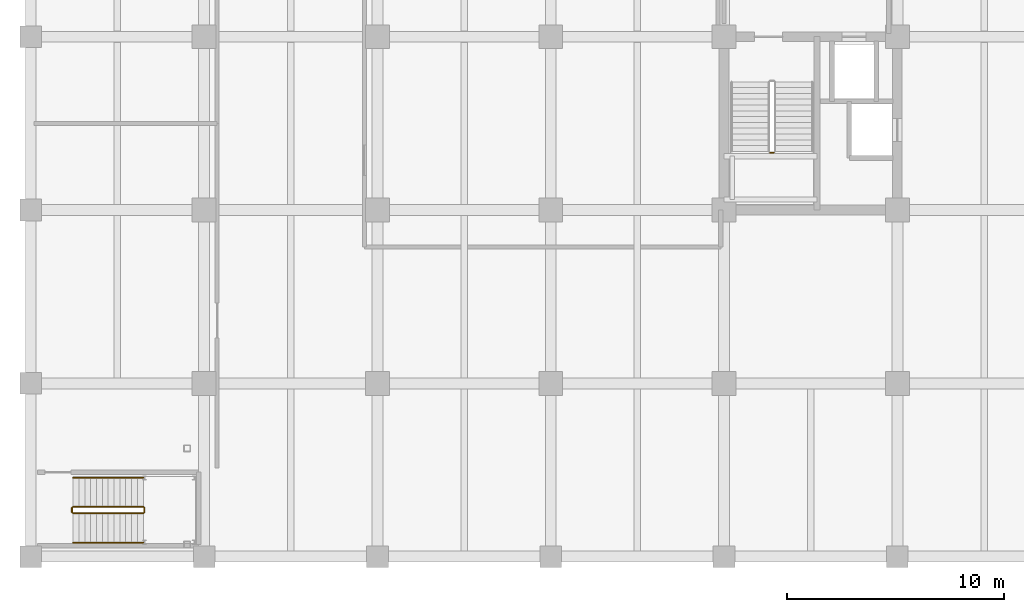
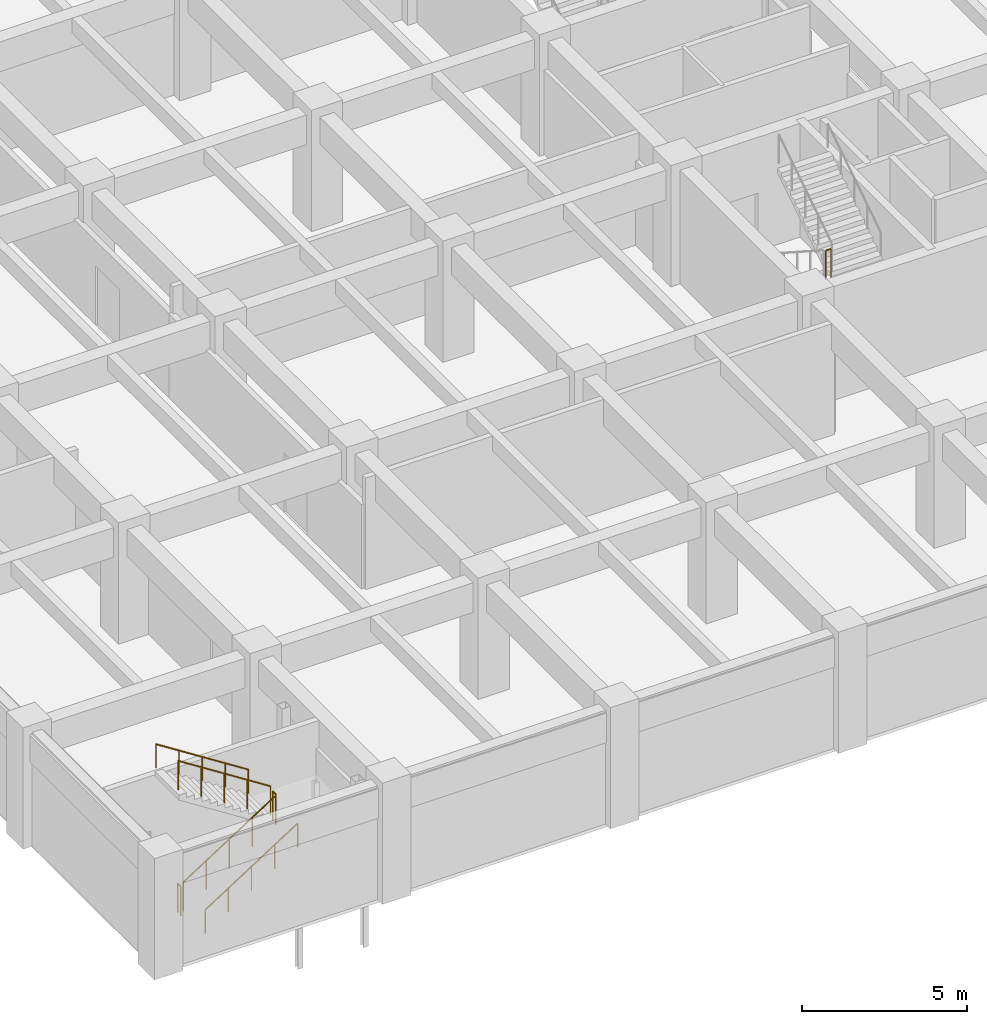
# One storey, part 12 of 16: 7 railings.
"""IFC4 building model written with IfcOpenShell, lengths in metres."""

from ifc_helpers import new_model, si_unit, direction, frame, origin, origin_2d, place, context, subcontext, project, spatial, circle, extrude, material, type_object, element, save


model = new_model("IFC4")

# Units and contexts
model_context = context("Model", 3, precision=1e-05, world=origin(), true_north=direction((0.0, 1.0)))
body_context = subcontext(model_context, "Body", "Model", "MODEL_VIEW")
ifc_project = project(units=[si_unit("LENGTHUNIT", "METRE"), si_unit("AREAUNIT", "SQUARE_METRE"), si_unit("VOLUMEUNIT", "CUBIC_METRE"), si_unit("PLANEANGLEUNIT", "RADIAN"), si_unit("MASSUNIT", "GRAM", prefix="KILO")], contexts=[model_context])

# Site, building, storey
site_placement = place(None, origin())
site = spatial("IfcSite", under=ifc_project, at=site_placement, CompositionType="ELEMENT")
building_placement = place(site_placement, origin())
building = spatial("IfcBuilding", under=site, at=building_placement, Name="Canggui Botanical Conservatory", CompositionType="ELEMENT")
storey_placement = place(building_placement, frame((0.0, 0.0, -4.5)))
storey = spatial("IfcBuildingStorey", under=building, at=storey_placement, Name="B1", CompositionType="ELEMENT", Elevation=-4.5)

# Railings
ifc_material = material(Name="Stainless Steel 304", Category="steel")
railing_type_1 = type_object("IfcRailingType", Name="RAIL-GUARD-1100", PredefinedType="BALUSTRADE", material=ifc_material)
railing_1_placement = place(storey_placement, frame((156.1201171875, 44.654052734375, 2.25)))
element("IfcRailing", 1, at=railing_1_placement, inside=storey, type_object=railing_type_1, Name="B1 ST-T1 stair guard 2", PredefinedType="BALUSTRADE", context=body_context, shape_type="SweptSolid", body=[
    extrude(circle(Radius=0.02392578125, at=origin_2d()), frame((0.0, 0.0, 1.076171875), z_axis=(1.0, 0.0, 0.0), x_axis=(0.0, 1.0, 0.0)), (0.0, 0.0, 1.0), 0.179931640625),
    extrude(circle(Radius=0.02099609375, at=origin_2d()), origin(), (0.0, 0.0, 1.0), 1.052001953125),
    extrude(circle(Radius=0.02099609375, at=origin_2d()), frame((0.179931640625, 0.0, 0.0)), (0.0, 0.0, 1.0), 1.052001953125),
])
railing_2_placement = place(storey_placement, frame((123.949951171875, 28.0, 0.173095703125)))
element("IfcRailing", 2, at=railing_2_placement, inside=storey, type_object=railing_type_1, Name="B1 ST-G1 stair guard 1", PredefinedType="BALUSTRADE", context=body_context, shape_type="SweptSolid", body=[
    extrude(circle(Radius=0.02392578125, at=origin_2d()), frame((0.0, 0.0, 1.076171875), z_axis=(0.841880617004, 0.0, 0.539663808971), x_axis=(0.0, 1.0, 0.0)), (0.0, 0.0, 1.0), 3.8486328125),
    extrude(circle(Radius=0.02099609375, at=origin_2d()), origin(), (0.0, 0.0, 1.0), 1.052001953125),
    extrude(circle(Radius=0.02099609375, at=origin_2d()), frame((0.81005859375, 0.0, 0.519287109375)), (0.0, 0.0, 1.0), 1.052001953125),
    extrude(circle(Radius=0.02099609375, at=origin_2d()), frame((1.6201171875, 0.0, 1.03857421875)), (0.0, 0.0, 1.0), 1.052001953125),
    extrude(circle(Radius=0.02099609375, at=origin_2d()), frame((2.429931640625, 0.0, 1.5576171875)), (0.0, 0.0, 1.0), 1.052001953125),
    extrude(circle(Radius=0.02099609375, at=origin_2d()), frame((3.239990234375, 0.0, 2.076904296875)), (0.0, 0.0, 1.0), 1.052001953125),
])
railing_3_placement = place(storey_placement, frame((127.239990234375, 28.050048828125, 2.25)))
element("IfcRailing", 3, at=railing_3_placement, inside=storey, type_object=railing_type_1, Name="B1 ST-G1 stair guard 2", PredefinedType="BALUSTRADE", context=body_context, shape_type="SweptSolid", body=[
    extrude(circle(Radius=0.02392578125, at=origin_2d()), frame((0.0, 0.0, 1.076171875), z_axis=(0.0, 1.0, 0.0), x_axis=(-1.0, 0.0, 0.0)), (0.0, 0.0, 1.0), 0.199951171875),
    extrude(circle(Radius=0.02099609375, at=origin_2d()), origin(), (0.0, 0.0, 1.0), 1.052001953125),
    extrude(circle(Radius=0.02099609375, at=origin_2d()), frame((0.0, 0.199951171875, 0.0)), (0.0, 0.0, 1.0), 1.052001953125),
])
railing_4_placement = place(storey_placement, frame((127.18994140625, 28.300048828125, 2.423095703125)))
element("IfcRailing", 4, at=railing_4_placement, inside=storey, type_object=railing_type_1, Name="B1 ST-G1 stair guard 3", PredefinedType="BALUSTRADE", context=body_context, shape_type="SweptSolid", body=[
    extrude(circle(Radius=0.02392578125, at=origin_2d()), frame((0.0, 0.0, 1.076171875), z_axis=(-0.841880617004, 0.0, 0.539663808971), x_axis=(0.0, -1.0, 0.0)), (0.0, 0.0, 1.0), 3.8486328125),
    extrude(circle(Radius=0.02099609375, at=origin_2d()), origin(), (0.0, 0.0, 1.0), 1.052001953125),
    extrude(circle(Radius=0.02099609375, at=origin_2d()), frame((-0.81005859375, 0.0, 0.519287109375)), (0.0, 0.0, 1.0), 1.052001953125),
    extrude(circle(Radius=0.02099609375, at=origin_2d()), frame((-1.6201171875, 0.0, 1.03857421875)), (0.0, 0.0, 1.0), 1.052001953125),
    extrude(circle(Radius=0.02099609375, at=origin_2d()), frame((-2.429931640625, 0.0, 1.5576171875)), (0.0, 0.0, 1.0), 1.052001953125),
    extrude(circle(Radius=0.02099609375, at=origin_2d()), frame((-3.239990234375, 0.0, 2.076904296875)), (0.0, 0.0, 1.0), 1.052001953125),
])
railing_5_placement = place(storey_placement, frame((123.89990234375, 28.050048828125, 0.0)))
element("IfcRailing", 5, at=railing_5_placement, inside=storey, type_object=railing_type_1, Name="B1 ST-G1 stair guard 4", PredefinedType="BALUSTRADE", context=body_context, shape_type="SweptSolid", body=[
    extrude(circle(Radius=0.02392578125, at=origin_2d()), frame((0.0, 0.0, 1.076171875), z_axis=(0.0, 1.0, 0.0), x_axis=(-1.0, 0.0, 0.0)), (0.0, 0.0, 1.0), 0.199951171875),
    extrude(circle(Radius=0.02099609375, at=origin_2d()), origin(), (0.0, 0.0, 1.0), 1.052001953125),
    extrude(circle(Radius=0.02099609375, at=origin_2d()), frame((0.0, 0.199951171875, 0.0)), (0.0, 0.0, 1.0), 1.052001953125),
])
railing_type_2 = type_object("IfcRailingType", Name="RAIL-HAND-900", PredefinedType="HANDRAIL", material=ifc_material)
railing_6_placement = place(storey_placement, frame((123.949951171875, 26.64990234375, 0.173095703125)))
element("IfcRailing", 6, at=railing_6_placement, inside=storey, type_object=railing_type_2, Name="B1 ST-G1 stair handrail 1", PredefinedType="HANDRAIL", context=body_context, shape_type="SweptSolid", body=[
    extrude(circle(Radius=0.02392578125, at=origin_2d()), frame((0.0, 0.0, 0.8759765625), z_axis=(0.841880617004, 0.0, 0.539663808971), x_axis=(0.0, 1.0, 0.0)), (0.0, 0.0, 1.0), 3.8486328125),
    extrude(circle(Radius=0.02099609375, at=origin_2d()), origin(), (0.0, 0.0, 1.0), 0.851806640625),
    extrude(circle(Radius=0.02099609375, at=origin_2d()), frame((0.81005859375, 0.0, 0.519287109375)), (0.0, 0.0, 1.0), 0.851806640625),
    extrude(circle(Radius=0.02099609375, at=origin_2d()), frame((1.6201171875, 0.0, 1.03857421875)), (0.0, 0.0, 1.0), 0.851806640625),
    extrude(circle(Radius=0.02099609375, at=origin_2d()), frame((2.429931640625, 0.0, 1.5576171875)), (0.0, 0.0, 1.0), 0.851806640625),
    extrude(circle(Radius=0.02099609375, at=origin_2d()), frame((3.239990234375, 0.0, 2.076904296875)), (0.0, 0.0, 1.0), 0.851806640625),
])
railing_7_placement = place(storey_placement, frame((127.18994140625, 29.64990234375, 2.423095703125)))
element("IfcRailing", 7, at=railing_7_placement, inside=storey, type_object=railing_type_2, Name="B1 ST-G1 stair handrail 2", PredefinedType="HANDRAIL", context=body_context, shape_type="SweptSolid", body=[
    extrude(circle(Radius=0.02392578125, at=origin_2d()), frame((0.0, 0.0, 0.8759765625), z_axis=(-0.841880617004, 0.0, 0.539663808971), x_axis=(0.0, -1.0, 0.0)), (0.0, 0.0, 1.0), 3.8486328125),
    extrude(circle(Radius=0.02099609375, at=origin_2d()), origin(), (0.0, 0.0, 1.0), 0.851806640625),
    extrude(circle(Radius=0.02099609375, at=origin_2d()), frame((-0.81005859375, 0.0, 0.519287109375)), (0.0, 0.0, 1.0), 0.851806640625),
    extrude(circle(Radius=0.02099609375, at=origin_2d()), frame((-1.6201171875, 0.0, 1.03857421875)), (0.0, 0.0, 1.0), 0.851806640625),
    extrude(circle(Radius=0.02099609375, at=origin_2d()), frame((-2.429931640625, 0.0, 1.5576171875)), (0.0, 0.0, 1.0), 0.851806640625),
    extrude(circle(Radius=0.02099609375, at=origin_2d()), frame((-3.239990234375, 0.0, 2.076904296875)), (0.0, 0.0, 1.0), 0.851806640625),
])

save(model, "model.ifc")
